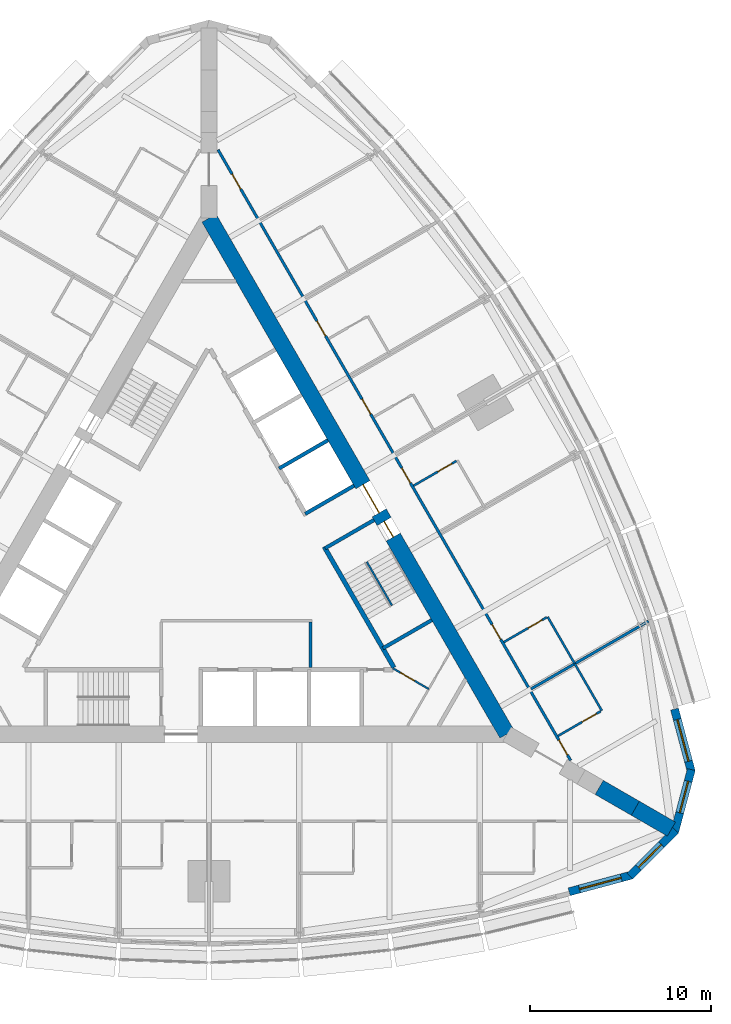
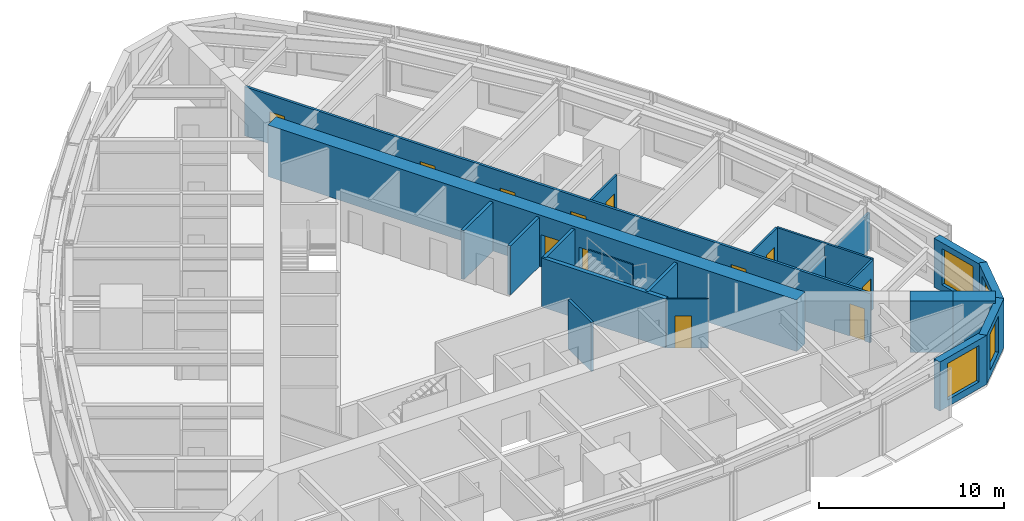
# One storey, part 11 of 14: 22 walls, 12 doors, 4 windows, 16 openings.
"""IFC4 building model written with IfcOpenShell, lengths in metres."""

from ifc_helpers import new_model, si_unit, direction, frame, frame_2d, origin, place, context, subcontext, project, spatial, polyline, rectangle, outline, extrude, material, layer, layer_set, type_object, element, fill, save


model = new_model("IFC4")

# Units and contexts
model_context = context("Model", 3, precision=1e-05, world=origin(), true_north=direction((0.0, 1.0)))
body_context = subcontext(model_context, "Body", "Model", "MODEL_VIEW")
ifc_project = project(units=[si_unit("LENGTHUNIT", "METRE"), si_unit("AREAUNIT", "SQUARE_METRE"), si_unit("VOLUMEUNIT", "CUBIC_METRE"), si_unit("PLANEANGLEUNIT", "RADIAN"), si_unit("MASSUNIT", "GRAM", prefix="KILO")], contexts=[model_context])

# Site, building, storey
site_placement = place(None, origin())
site = spatial("IfcSite", under=ifc_project, at=site_placement, CompositionType="ELEMENT")
building_placement = place(site_placement, origin())
building = spatial("IfcBuilding", under=site, at=building_placement, Name="Trikona Tower", CompositionType="ELEMENT")
storey_placement = place(building_placement, frame((0.0, 0.0, 114.699951171875)))
storey = spatial("IfcBuildingStorey", under=building, at=storey_placement, Name="L29", CompositionType="ELEMENT", Elevation=114.699951171875)

# Wall
ifc_material_1 = material(Name="Metal stud and cement board", Category="gypsum")
ifc_layer_1 = layer(ifc_material_1, 0.1201171875)
ifc_layer_set_1 = layer_set([ifc_layer_1], Name="Bathroom wall 120")
wall_type_1 = type_object("IfcWallType", Name="Bathroom wall 120", PredefinedType="PLUMBINGWALL", material=ifc_layer_set_1)
wall_1_placement = place(storey_placement, frame((21.75341796875, -8.225341796875, 0.0), z_axis=(0.0, 0.0, 1.0), x_axis=(-0.499990139034, 0.866031096941, 0.0)))
element("IfcWall", 1, at=wall_1_placement, inside=storey, type_object=wall_type_1, Name="Bathroom wall 2907", PredefinedType="PLUMBINGWALL", context=body_context, shape_type="SweptSolid", body=[
    extrude(rectangle(XDim=3.0, YDim=0.1201171875, at=frame_2d((1.5, 0.0))), origin(), (0.0, 0.0, 1.0), 3.235107421875),
])

# Wall, opening, door
wall_2_placement = place(storey_placement, frame((19.32861328125, -9.625244140625, 0.0), z_axis=(0.0, 0.0, 1.0), x_axis=(0.866035715982, 0.499982138324, 0.0)))
wall_2 = element("IfcWall", 2, at=wall_2_placement, inside=storey, type_object=wall_type_1, Name="Bathroom wall 2907", PredefinedType="PLUMBINGWALL", context=body_context, shape_type="SweptSolid", body=[
    extrude(rectangle(XDim=2.73974609375, YDim=0.1201171875, at=frame_2d((1.369873046875, 0.0))), origin(), (0.0, 0.0, 1.0), 3.235107421875),
])
opening_1_placement = place(wall_2_placement, frame((1.550048828125, 0.0, 0.0)))
opening_1 = element("IfcOpeningElement", 3, at=opening_1_placement, cuts=wall_2, Name="Opening D2", PredefinedType="OPENING", context=body_context, shape_type="SweptSolid", body=[
    extrude(rectangle(XDim=0.89990234375, YDim=2.1298828125, at=frame_2d((0.449951171875, 1.06494140625))), frame((0.0, 0.070068359375, 0.0), z_axis=(0.0, -1.0, 0.0), x_axis=(1.0, 0.0, 0.0)), (0.0, 0.0, 1.0), 0.14013671875),
])
ifc_material_2 = material(Name="Steel door frame with solid-core timber leaf", Category="steel")
door_type_1 = type_object("IfcDoorType", Name="Bathroom door 900x2130", OperationType="SLIDING_TO_LEFT", PredefinedType="DOOR", material=ifc_material_2)
door_1_placement = place(opening_1_placement, origin())
door_1 = element("IfcDoor", 4, at=door_1_placement, inside=storey, type_object=door_type_1, Name="Bathroom door 2907", OperationType="SLIDING_TO_LEFT", OverallHeight=2.1298828125, OverallWidth=0.89990234375, PredefinedType="DOOR", context=body_context, shape_type="SweptSolid", body=[
    extrude(rectangle(XDim=0.89990234375, YDim=2.1298828125, at=frame_2d((0.449951171875, 1.06494140625))), frame((0.0, 0.02490234375, 0.0), z_axis=(0.0, -1.0, 0.0), x_axis=(1.0, 0.0, 0.0)), (0.0, 0.0, 1.0), 0.050048828125),
])
fill(opening_1, door_1)

# Wall
wall_3_placement = place(storey_placement, frame((20.25341796875, -5.627197265625, 0.0), z_axis=(0.0, 0.0, 1.0), x_axis=(-0.50002537861, 0.866010750942, 0.0)))
element("IfcWall", 5, at=wall_3_placement, inside=storey, type_object=wall_type_1, Name="Bathroom wall 2908", PredefinedType="PLUMBINGWALL", context=body_context, shape_type="SweptSolid", body=[
    extrude(rectangle(XDim=2.999755859375, YDim=0.1201171875, at=frame_2d((1.5, 0.0))), origin(), (0.0, 0.0, 1.0), 3.235107421875),
])

# Wall, opening, door
wall_4_placement = place(storey_placement, frame((16.32861328125, -4.42919921875, 0.0), z_axis=(0.0, 0.0, 1.0), x_axis=(0.865997131366, 0.500048966069, 0.0)))
wall_4 = element("IfcWall", 6, at=wall_4_placement, inside=storey, type_object=wall_type_1, Name="Bathroom wall 2908", PredefinedType="PLUMBINGWALL", context=body_context, shape_type="SweptSolid", body=[
    extrude(rectangle(XDim=2.739990234375, YDim=0.1201171875, at=frame_2d((1.3701171875, 0.0))), origin(), (0.0, 0.0, 1.0), 3.235107421875),
])
opening_2_placement = place(wall_4_placement, frame((1.550048828125, 0.0, 0.0)))
opening_2 = element("IfcOpeningElement", 7, at=opening_2_placement, cuts=wall_4, Name="Opening D2", PredefinedType="OPENING", context=body_context, shape_type="SweptSolid", body=[
    extrude(rectangle(XDim=0.89990234375, YDim=2.1298828125, at=frame_2d((0.449951171875, 1.06494140625))), frame((0.0, 0.070068359375, 0.0), z_axis=(0.0, -1.0, 0.0), x_axis=(1.0, 0.0, 0.0)), (0.0, 0.0, 1.0), 0.14013671875),
])
door_2_placement = place(opening_2_placement, origin())
door_2 = element("IfcDoor", 8, at=door_2_placement, inside=storey, type_object=door_type_1, Name="Bathroom door 2908", OperationType="SLIDING_TO_LEFT", OverallHeight=2.1298828125, OverallWidth=0.89990234375, PredefinedType="DOOR", context=body_context, shape_type="SweptSolid", body=[
    extrude(rectangle(XDim=0.89990234375, YDim=2.1298828125, at=frame_2d((0.449951171875, 1.06494140625))), frame((0.0, 0.02490234375, 0.0), z_axis=(0.0, -1.0, 0.0), x_axis=(1.0, 0.0, 0.0)), (0.0, 0.0, 1.0), 0.050048828125),
])
fill(opening_2, door_2)

wall_5_placement = place(storey_placement, frame((11.32861328125, 4.231201171875, 0.0), z_axis=(0.0, 0.0, 1.0), x_axis=(0.866035715982, 0.499982138324, 0.0)))
wall_5 = element("IfcWall", 9, at=wall_5_placement, inside=storey, type_object=wall_type_1, Name="Bathroom wall 2909", PredefinedType="PLUMBINGWALL", context=body_context, shape_type="SweptSolid", body=[
    extrude(rectangle(XDim=2.73974609375, YDim=0.1201171875, at=frame_2d((1.369873046875, 0.0))), origin(), (0.0, 0.0, 1.0), 3.235107421875),
])
opening_3_placement = place(wall_5_placement, frame((1.550048828125, 0.0, 0.0)))
opening_3 = element("IfcOpeningElement", 10, at=opening_3_placement, cuts=wall_5, Name="Opening D2", PredefinedType="OPENING", context=body_context, shape_type="SweptSolid", body=[
    extrude(rectangle(XDim=0.89990234375, YDim=2.1298828125, at=frame_2d((0.449951171875, 1.06494140625))), frame((0.0, 0.070068359375, 0.0), z_axis=(0.0, -1.0, 0.0), x_axis=(1.0, 0.0, 0.0)), (0.0, 0.0, 1.0), 0.14013671875),
])
door_3_placement = place(opening_3_placement, origin())
door_3 = element("IfcDoor", 11, at=door_3_placement, inside=storey, type_object=door_type_1, Name="Bathroom door 2909", OperationType="SLIDING_TO_LEFT", OverallHeight=2.1298828125, OverallWidth=0.89990234375, PredefinedType="DOOR", context=body_context, shape_type="SweptSolid", body=[
    extrude(rectangle(XDim=0.89990234375, YDim=2.1298828125, at=frame_2d((0.449951171875, 1.06494140625))), frame((0.0, 0.02490234375, 0.0), z_axis=(0.0, -1.0, 0.0), x_axis=(1.0, 0.0, 0.0)), (0.0, 0.0, 1.0), 0.050048828125),
])
fill(opening_3, door_3)

# Wall, opening, window
ifc_material_3 = material(Name="Brick-faced precast concrete", Category="masonry")
ifc_layer_2 = layer(ifc_material_3, 0.449951171875)
ifc_layer_set_2 = layer_set([ifc_layer_2], Name="Brick-faced corner wall 450")
wall_type_2 = type_object("IfcWallType", Name="Brick-faced corner wall 450", PredefinedType="SOLIDWALL", material=ifc_layer_set_2)
wall_6_placement = place(storey_placement, frame((19.94189453125, -18.2578125, 0.0), z_axis=(0.0, 0.0, 1.0), x_axis=(0.965924653531, 0.258823421857, 0.0)))
wall_6 = element("IfcWall", 12, at=wall_6_placement, inside=storey, type_object=wall_type_2, Name="External wall L29-08", PredefinedType="SOLIDWALL", context=body_context, shape_type="SweptSolid", body=[
    extrude(rectangle(XDim=3.58642578125, YDim=0.449951171875, at=frame_2d((1.793212890625, 0.0))), origin(), (0.0, 0.0, 1.0), 3.235107421875),
])
opening_4_placement = place(wall_6_placement, frame((0.593017578125, 0.0, 0.449951171875)))
opening_4 = element("IfcOpeningElement", 13, at=opening_4_placement, cuts=wall_6, Name="Opening W2424", PredefinedType="OPENING", context=body_context, shape_type="SweptSolid", body=[
    extrude(rectangle(XDim=2.39990234375, YDim=2.39990234375, at=frame_2d((1.199951171875, 1.199951171875))), frame((0.0, 0.23486328125, 0.0), z_axis=(0.0, -1.0, 0.0), x_axis=(1.0, 0.0, 0.0)), (0.0, 0.0, 1.0), 0.469970703125),
])
ifc_material_4 = material(Name="Aluminium-framed double glazing", Category="aluminium")
window_type_1 = type_object("IfcWindowType", Name="Window 2400x2400", PartitioningType="SINGLE_PANEL", PredefinedType="WINDOW", material=ifc_material_4)
window_1_placement = place(opening_4_placement, origin())
window_1 = element("IfcWindow", 14, at=window_1_placement, inside=storey, type_object=window_type_1, Name="Window 2906", OverallHeight=2.39990234375, OverallWidth=2.39990234375, PartitioningType="SINGLE_PANEL", PredefinedType="WINDOW", context=body_context, shape_type="SweptSolid", body=[
    extrude(rectangle(XDim=2.39990234375, YDim=2.39990234375, at=frame_2d((1.199951171875, 1.199951171875))), frame((0.0, 0.030029296875, 0.0), z_axis=(0.0, -1.0, 0.0), x_axis=(1.0, 0.0, 0.0)), (0.0, 0.0, 1.0), 0.06005859375),
])
fill(opening_4, window_1)

wall_7_placement = place(storey_placement, frame((23.304931640625, -17.387939453125, 0.0), z_axis=(0.0, 0.0, 1.0), x_axis=(0.707106781187, 0.707106781187, 0.0)))
wall_7 = element("IfcWall", 15, at=wall_7_placement, inside=storey, type_object=wall_type_2, Name="External wall L29-09", PredefinedType="SOLIDWALL", context=body_context, shape_type="SweptSolid", body=[
    extrude(outline(polyline([(3.586181640625, 0.22509765625), (3.527099609375, 0.22509765625), (3.03515625, 0.09326171875), (3.0, 0.22509765625), (0.0, 0.22509765625), (0.0, -0.22509765625), (3.586181640625, -0.22509765625), (3.586181640625, 0.22509765625)])), origin(), (0.0, 0.0, 1.0), 3.235107421875),
])
opening_5_placement = place(wall_7_placement, frame((0.6748046875, 0.0, 0.449951171875)))
opening_5 = element("IfcOpeningElement", 16, at=opening_5_placement, cuts=wall_7, Name="Opening W1824", PredefinedType="OPENING", context=body_context, shape_type="SweptSolid", body=[
    extrude(rectangle(XDim=1.800048828125, YDim=2.39990234375, at=frame_2d((0.89990234375, 1.199951171875))), frame((0.0, 0.23486328125, 0.0), z_axis=(0.0, -1.0, 0.0), x_axis=(1.0, 0.0, 0.0)), (0.0, 0.0, 1.0), 0.469970703125),
])
ifc_material_5 = material(Name="Aluminium-framed double glazing", Category="aluminium")
window_type_2 = type_object("IfcWindowType", Name="Window 1800x2400", PartitioningType="SINGLE_PANEL", PredefinedType="WINDOW", material=ifc_material_5)
window_2_placement = place(opening_5_placement, origin())
window_2 = element("IfcWindow", 17, at=window_2_placement, inside=storey, type_object=window_type_2, Name="Window 2906", OverallHeight=2.39990234375, OverallWidth=1.800048828125, PartitioningType="SINGLE_PANEL", PredefinedType="WINDOW", context=body_context, shape_type="SweptSolid", body=[
    extrude(rectangle(XDim=1.800048828125, YDim=2.39990234375, at=frame_2d((0.89990234375, 1.199951171875))), frame((0.0, 0.030029296875, 0.0), z_axis=(0.0, -1.0, 0.0), x_axis=(1.0, 0.0, 0.0)), (0.0, 0.0, 1.0), 0.06005859375),
])
fill(opening_5, window_2)

wall_8_placement = place(storey_placement, frame((25.78271484375, -14.952880859375, 0.0), z_axis=(0.0, 0.0, 1.0), x_axis=(0.258823421857, 0.965924653531, 0.0)))
wall_8 = element("IfcWall", 18, at=wall_8_placement, inside=storey, type_object=wall_type_2, Name="External wall L29-10", PredefinedType="SOLIDWALL", context=body_context, shape_type="SweptSolid", body=[
    extrude(outline(polyline([(3.58642578125, 0.22509765625), (0.58642578125, 0.22509765625), (0.551025390625, 0.09326171875), (0.0595703125, 0.22509765625), (0.0, 0.22509765625), (0.0, -0.22509765625), (3.58642578125, -0.22509765625), (3.58642578125, 0.22509765625)])), origin(), (0.0, 0.0, 1.0), 3.235107421875),
])
opening_6_placement = place(wall_8_placement, frame((1.111328125, 0.0, 0.449951171875)))
opening_6 = element("IfcOpeningElement", 19, at=opening_6_placement, cuts=wall_8, Name="Opening W1824", PredefinedType="OPENING", context=body_context, shape_type="SweptSolid", body=[
    extrude(rectangle(XDim=1.800048828125, YDim=2.39990234375, at=frame_2d((0.89990234375, 1.199951171875))), frame((0.0, 0.23486328125, 0.0), z_axis=(0.0, -1.0, 0.0), x_axis=(1.0, 0.0, 0.0)), (0.0, 0.0, 1.0), 0.469970703125),
])
window_3_placement = place(opening_6_placement, origin())
window_3 = element("IfcWindow", 20, at=window_3_placement, inside=storey, type_object=window_type_2, Name="Window 2907", OverallHeight=2.39990234375, OverallWidth=1.800048828125, PartitioningType="SINGLE_PANEL", PredefinedType="WINDOW", context=body_context, shape_type="SweptSolid", body=[
    extrude(rectangle(XDim=1.800048828125, YDim=2.39990234375, at=frame_2d((0.89990234375, 1.199951171875))), frame((0.0, 0.030029296875, 0.0), z_axis=(0.0, -1.0, 0.0), x_axis=(1.0, 0.0, 0.0)), (0.0, 0.0, 1.0), 0.06005859375),
])
fill(opening_6, window_3)

wall_9_placement = place(storey_placement, frame((26.7109375, -11.605224609375, 0.0), z_axis=(0.0, 0.0, 1.0), x_axis=(-0.258823421857, 0.965924653531, 0.0)))
wall_9 = element("IfcWall", 21, at=wall_9_placement, inside=storey, type_object=wall_type_2, Name="External wall L29-11", PredefinedType="SOLIDWALL", context=body_context, shape_type="SweptSolid", body=[
    extrude(rectangle(XDim=3.58642578125, YDim=0.449951171875, at=frame_2d((1.793212890625, 0.0))), origin(), (0.0, 0.0, 1.0), 3.235107421875),
])
opening_7_placement = place(wall_9_placement, frame((0.593017578125, 0.0, 0.449951171875)))
opening_7 = element("IfcOpeningElement", 22, at=opening_7_placement, cuts=wall_9, Name="Opening W2424", PredefinedType="OPENING", context=body_context, shape_type="SweptSolid", body=[
    extrude(rectangle(XDim=2.39990234375, YDim=2.39990234375, at=frame_2d((1.199951171875, 1.199951171875))), frame((0.0, 0.23486328125, 0.0), z_axis=(0.0, -1.0, 0.0), x_axis=(1.0, 0.0, 0.0)), (0.0, 0.0, 1.0), 0.469970703125),
])
window_4_placement = place(opening_7_placement, origin())
window_4 = element("IfcWindow", 23, at=window_4_placement, inside=storey, type_object=window_type_1, Name="Window 2907", OverallHeight=2.39990234375, OverallWidth=2.39990234375, PartitioningType="SINGLE_PANEL", PredefinedType="WINDOW", context=body_context, shape_type="SweptSolid", body=[
    extrude(rectangle(XDim=2.39990234375, YDim=2.39990234375, at=frame_2d((1.199951171875, 1.199951171875))), frame((0.0, 0.030029296875, 0.0), z_axis=(0.0, -1.0, 0.0), x_axis=(1.0, 0.0, 0.0)), (0.0, 0.0, 1.0), 0.06005859375),
])
fill(opening_7, window_4)

# Walls
ifc_material_6 = material(Name="Concrete f'c 10000 psi", Category="concrete")
ifc_layer_3 = layer(ifc_material_6, 0.89990234375)
ifc_layer_set_3 = layer_set([ifc_layer_3], Name="Buttress wall 900")
wall_type_3 = type_object("IfcWallType", Name="Buttress wall 900", PredefinedType="SHEAR", material=ifc_layer_set_3)
for number, where, z_axis, x_axis, name in (
    (24, (21.6103515625, -12.476806640625, 0.0), (0.0, 0.0, 1.0), (0.866055313784, -0.499948190782, 0.0), "Buttress wall 1 part 3"),
    (25, (23.6103515625, -13.63134765625, 0.0), (0.0, 0.0, 1.0), (0.866009537788, -0.500027479704, 0.0), "Buttress wall 1 part 4"),
):
    element("IfcWall", number, at=place(storey_placement, frame(where, z_axis=z_axis, x_axis=x_axis)), inside=storey, type_object=wall_type_3, Name=name, PredefinedType="SHEAR", context=body_context, shape_type="SweptSolid", body=[
        extrude(rectangle(XDim=2.309326171875, YDim=0.89990234375, at=frame_2d((1.15478515625, 0.0))), origin(), (0.0, 0.0, 1.0), 3.400146484375),
    ])

# Wall, openings, doors
ifc_material_7 = material(Name="Concrete f'c 10000 psi", Category="concrete")
ifc_layer_4 = layer(ifc_material_7, 0.89990234375)
ifc_layer_set_4 = layer_set([ifc_layer_4], Name="Core wall 900")
wall_type_4 = type_object("IfcWallType", Name="Core wall 900", PredefinedType="SHEAR", material=ifc_layer_set_4)
wall_10_placement = place(storey_placement, frame((16.5, -9.5263671875, 0.0), z_axis=(0.0, 0.0, 1.0), x_axis=(-0.499999749417, 0.866025548458, 0.0)))
wall_10 = element("IfcWall", 26, at=wall_10_placement, inside=storey, type_object=wall_type_4, Name="Core wall B", PredefinedType="SHEAR", context=body_context, shape_type="SweptSolid", body=[
    extrude(rectangle(XDim=33.0, YDim=0.89990234375, at=frame_2d((16.5, 0.0))), origin(), (0.0, 0.0, 1.0), 3.400146484375),
])
opening_8_placement = place(wall_10_placement, frame((14.14990234375, 0.0, 0.0)))
opening_8 = element("IfcOpeningElement", 27, at=opening_8_placement, cuts=wall_10, Name="Opening D6", PredefinedType="OPENING", context=body_context, shape_type="SweptSolid", body=[
    extrude(rectangle(XDim=1.800048828125, YDim=2.1298828125, at=frame_2d((0.89990234375, 1.06494140625))), frame((0.0, 0.4599609375, 0.0), z_axis=(0.0, -1.0, 0.0), x_axis=(1.0, 0.0, 0.0)), (0.0, 0.0, 1.0), 0.919921875),
])
opening_9_placement = place(wall_10_placement, frame((12.60009765625, 0.0, 0.0)))
opening_9 = element("IfcOpeningElement", 28, at=opening_9_placement, cuts=wall_10, Name="Opening D5", PredefinedType="OPENING", context=body_context, shape_type="SweptSolid", body=[
    extrude(rectangle(XDim=1.0, YDim=2.1298828125, at=frame_2d((0.5, 1.06494140625))), frame((0.0, 0.4599609375, 0.0), z_axis=(0.0, -1.0, 0.0), x_axis=(1.0, 0.0, 0.0)), (0.0, 0.0, 1.0), 0.919921875),
])
ifc_material_8 = material(Name="Hollow metal door and frame", Category="steel")
door_type_2 = type_object("IfcDoorType", Name="Lobby door pair 1800x2130", OperationType="DOUBLE_DOOR_SINGLE_SWING", PredefinedType="DOOR", material=ifc_material_8)
door_4_placement = place(opening_8_placement, origin())
door_4 = element("IfcDoor", 29, at=door_4_placement, inside=storey, type_object=door_type_2, Name="Lift lobby door B", OperationType="DOUBLE_DOOR_SINGLE_SWING", OverallHeight=2.1298828125, OverallWidth=1.800048828125, PredefinedType="DOOR", context=body_context, shape_type="SweptSolid", body=[
    extrude(rectangle(XDim=1.800048828125, YDim=2.1298828125, at=frame_2d((0.89990234375, 1.06494140625))), frame((0.0, 0.02490234375, 0.0), z_axis=(0.0, -1.0, 0.0), x_axis=(1.0, 0.0, 0.0)), (0.0, 0.0, 1.0), 0.050048828125),
])
fill(opening_8, door_4)
ifc_material_9 = material(Name="Hollow metal door and frame", Category="steel")
door_type_3 = type_object("IfcDoorType", Name="Stair door 1000x2130", OperationType="SINGLE_SWING_LEFT", PredefinedType="DOOR", material=ifc_material_9)
door_5_placement = place(opening_9_placement, origin())
door_5 = element("IfcDoor", 30, at=door_5_placement, inside=storey, type_object=door_type_3, Name="Stair B door", OperationType="SINGLE_SWING_RIGHT", OverallHeight=2.1298828125, OverallWidth=1.0, PredefinedType="DOOR", context=body_context, shape_type="SweptSolid", body=[
    extrude(rectangle(XDim=1.0, YDim=2.1298828125, at=frame_2d((0.5, 1.06494140625))), frame((0.0, 0.02490234375, 0.0), z_axis=(0.0, -1.0, 0.0), x_axis=(1.0, 0.0, 0.0)), (0.0, 0.0, 1.0), 0.050048828125),
])
fill(opening_9, door_5)

ifc_material_10 = material(Name="Metal stud and gypsum board, 1-hour", Category="gypsum")
ifc_layer_5 = layer(ifc_material_10, 0.14990234375)
ifc_layer_set_5 = layer_set([ifc_layer_5], Name="Corridor wall 150")
wall_type_5 = type_object("IfcWallType", Name="Corridor wall 150", PredefinedType="PARTITIONING", material=ifc_layer_set_5)
wall_11_placement = place(storey_placement, frame((20.027099609375, -10.9853515625, 0.0), z_axis=(0.0, 0.0, 1.0), x_axis=(-0.500001677587, 0.866024435227, 0.0)))
wall_11 = element("IfcWall", 31, at=wall_11_placement, inside=storey, type_object=wall_type_5, Name="Corridor wall L29-2", PredefinedType="PARTITIONING", context=body_context, shape_type="SweptSolid", body=[
    extrude(rectangle(XDim=39.053955078125, YDim=0.14990234375, at=frame_2d((19.52685546875, 0.0))), origin(), (0.0, 0.0, 1.0), 3.235107421875),
])
opening_10_placement = place(wall_11_placement, frame((0.35205078125, 0.0, 0.0)))
opening_10 = element("IfcOpeningElement", 32, at=opening_10_placement, cuts=wall_11, Name="Opening D1", PredefinedType="OPENING", context=body_context, shape_type="SweptSolid", body=[
    extrude(rectangle(XDim=0.949951171875, YDim=2.1298828125, at=frame_2d((0.47509765625, 1.06494140625))), frame((0.0, 0.0849609375, 0.0), z_axis=(0.0, -1.0, 0.0), x_axis=(1.0, 0.0, 0.0)), (0.0, 0.0, 1.0), 0.169921875),
])
opening_11_placement = place(wall_11_placement, frame((7.751953125, 0.0, 0.0)))
opening_11 = element("IfcOpeningElement", 33, at=opening_11_placement, cuts=wall_11, Name="Opening D1", PredefinedType="OPENING", context=body_context, shape_type="SweptSolid", body=[
    extrude(rectangle(XDim=0.949951171875, YDim=2.1298828125, at=frame_2d((0.47509765625, 1.06494140625))), frame((0.0, 0.0849609375, 0.0), z_axis=(0.0, -1.0, 0.0), x_axis=(1.0, 0.0, 0.0)), (0.0, 0.0, 1.0), 0.169921875),
])
opening_12_placement = place(wall_11_placement, frame((17.751953125, 0.0, 0.0)))
opening_12 = element("IfcOpeningElement", 34, at=opening_12_placement, cuts=wall_11, Name="Opening D1", PredefinedType="OPENING", context=body_context, shape_type="SweptSolid", body=[
    extrude(rectangle(XDim=0.949951171875, YDim=2.1298828125, at=frame_2d((0.47509765625, 1.06494140625))), frame((0.0, 0.0849609375, 0.0), z_axis=(0.0, -1.0, 0.0), x_axis=(1.0, 0.0, 0.0)), (0.0, 0.0, 1.0), 0.169921875),
])
opening_13_placement = place(wall_11_placement, frame((22.152099609375, 0.0, 0.0)))
opening_13 = element("IfcOpeningElement", 35, at=opening_13_placement, cuts=wall_11, Name="Opening D1", PredefinedType="OPENING", context=body_context, shape_type="SweptSolid", body=[
    extrude(rectangle(XDim=0.949951171875, YDim=2.1298828125, at=frame_2d((0.47509765625, 1.06494140625))), frame((0.0, 0.0849609375, 0.0), z_axis=(0.0, -1.0, 0.0), x_axis=(1.0, 0.0, 0.0)), (0.0, 0.0, 1.0), 0.169921875),
])
opening_14_placement = place(wall_11_placement, frame((27.152099609375, 0.0, 0.0)))
opening_14 = element("IfcOpeningElement", 36, at=opening_14_placement, cuts=wall_11, Name="Opening D1", PredefinedType="OPENING", context=body_context, shape_type="SweptSolid", body=[
    extrude(rectangle(XDim=0.949951171875, YDim=2.1298828125, at=frame_2d((0.47509765625, 1.06494140625))), frame((0.0, 0.0849609375, 0.0), z_axis=(0.0, -1.0, 0.0), x_axis=(1.0, 0.0, 0.0)), (0.0, 0.0, 1.0), 0.169921875),
])
opening_15_placement = place(wall_11_placement, frame((36.545654296875, 0.0, 0.0)))
opening_15 = element("IfcOpeningElement", 37, at=opening_15_placement, cuts=wall_11, Name="Opening D1", PredefinedType="OPENING", context=body_context, shape_type="SweptSolid", body=[
    extrude(rectangle(XDim=0.949951171875, YDim=2.1298828125, at=frame_2d((0.47509765625, 1.06494140625))), frame((0.0, 0.0849609375, 0.0), z_axis=(0.0, -1.0, 0.0), x_axis=(1.0, 0.0, 0.0)), (0.0, 0.0, 1.0), 0.169921875),
])
ifc_material_11 = material(Name="Steel door frame with solid-core timber leaf", Category="steel")
door_type_4 = type_object("IfcDoorType", Name="Guest room door 950x2130", OperationType="SINGLE_SWING_LEFT", PredefinedType="DOOR", material=ifc_material_11)
door_6_placement = place(opening_10_placement, origin())
door_6 = element("IfcDoor", 38, at=door_6_placement, inside=storey, type_object=door_type_4, Name="Room door 2907", OperationType="SINGLE_SWING_LEFT", OverallHeight=2.1298828125, OverallWidth=0.949951171875, PredefinedType="DOOR", context=body_context, shape_type="SweptSolid", body=[
    extrude(rectangle(XDim=0.949951171875, YDim=2.1298828125, at=frame_2d((0.47509765625, 1.06494140625))), frame((0.0, 0.02490234375, 0.0), z_axis=(0.0, -1.0, 0.0), x_axis=(1.0, 0.0, 0.0)), (0.0, 0.0, 1.0), 0.050048828125),
])
fill(opening_10, door_6)
door_7_placement = place(opening_11_placement, origin())
door_7 = element("IfcDoor", 39, at=door_7_placement, inside=storey, type_object=door_type_4, Name="Room door 2908", OperationType="SINGLE_SWING_RIGHT", OverallHeight=2.1298828125, OverallWidth=0.949951171875, PredefinedType="DOOR", context=body_context, shape_type="SweptSolid", body=[
    extrude(rectangle(XDim=0.949951171875, YDim=2.1298828125, at=frame_2d((0.47509765625, 1.06494140625))), frame((0.0, 0.02490234375, 0.0), z_axis=(0.0, -1.0, 0.0), x_axis=(1.0, 0.0, 0.0)), (0.0, 0.0, 1.0), 0.050048828125),
])
fill(opening_11, door_7)
door_8_placement = place(opening_12_placement, origin())
door_8 = element("IfcDoor", 40, at=door_8_placement, inside=storey, type_object=door_type_4, Name="Room door 2909", OperationType="SINGLE_SWING_LEFT", OverallHeight=2.1298828125, OverallWidth=0.949951171875, PredefinedType="DOOR", context=body_context, shape_type="SweptSolid", body=[
    extrude(rectangle(XDim=0.949951171875, YDim=2.1298828125, at=frame_2d((0.47509765625, 1.06494140625))), frame((0.0, 0.02490234375, 0.0), z_axis=(0.0, -1.0, 0.0), x_axis=(1.0, 0.0, 0.0)), (0.0, 0.0, 1.0), 0.050048828125),
])
fill(opening_12, door_8)
door_9_placement = place(opening_13_placement, origin())
door_9 = element("IfcDoor", 41, at=door_9_placement, inside=storey, type_object=door_type_4, Name="Room door 2910", OperationType="SINGLE_SWING_RIGHT", OverallHeight=2.1298828125, OverallWidth=0.949951171875, PredefinedType="DOOR", context=body_context, shape_type="SweptSolid", body=[
    extrude(rectangle(XDim=0.949951171875, YDim=2.1298828125, at=frame_2d((0.47509765625, 1.06494140625))), frame((0.0, 0.02490234375, 0.0), z_axis=(0.0, -1.0, 0.0), x_axis=(1.0, 0.0, 0.0)), (0.0, 0.0, 1.0), 0.050048828125),
])
fill(opening_13, door_9)
door_10_placement = place(opening_14_placement, origin())
door_10 = element("IfcDoor", 42, at=door_10_placement, inside=storey, type_object=door_type_4, Name="Room door 2911", OperationType="SINGLE_SWING_LEFT", OverallHeight=2.1298828125, OverallWidth=0.949951171875, PredefinedType="DOOR", context=body_context, shape_type="SweptSolid", body=[
    extrude(rectangle(XDim=0.949951171875, YDim=2.1298828125, at=frame_2d((0.47509765625, 1.06494140625))), frame((0.0, 0.02490234375, 0.0), z_axis=(0.0, -1.0, 0.0), x_axis=(1.0, 0.0, 0.0)), (0.0, 0.0, 1.0), 0.050048828125),
])
fill(opening_14, door_10)
door_11_placement = place(opening_15_placement, origin())
door_11 = element("IfcDoor", 43, at=door_11_placement, inside=storey, type_object=door_type_4, Name="Room door 2912", OperationType="SINGLE_SWING_RIGHT", OverallHeight=2.1298828125, OverallWidth=0.949951171875, PredefinedType="DOOR", context=body_context, shape_type="SweptSolid", body=[
    extrude(rectangle(XDim=0.949951171875, YDim=2.1298828125, at=frame_2d((0.47509765625, 1.06494140625))), frame((0.0, 0.02490234375, 0.0), z_axis=(0.0, -1.0, 0.0), x_axis=(1.0, 0.0, 0.0)), (0.0, 0.0, 1.0), 0.050048828125),
])
fill(opening_15, door_11)

# Walls
ifc_material_12 = material(Name="Concrete f'c 8000 psi", Category="concrete")
ifc_layer_6 = layer(ifc_material_12, 0.25)
ifc_layer_set_6 = layer_set([ifc_layer_6], Name="Hub wall 250")
wall_type_6 = type_object("IfcWallType", Name="Hub wall 250", PredefinedType="SOLIDWALL", material=ifc_layer_set_6)
wall_12_placement = place(storey_placement, frame((10.245361328125, -5.843017578125, 0.0), z_axis=(0.0, 0.0, 1.0), x_axis=(-0.499993009313, 0.866029439822, 0.0)))
element("IfcWall", 44, at=wall_12_placement, inside=storey, type_object=wall_type_6, Name="Lift lobby wall B1", PredefinedType="SOLIDWALL", context=body_context, shape_type="SweptSolid", body=[
    extrude(rectangle(XDim=7.73291015625, YDim=0.25, at=frame_2d((3.866455078125, 0.0))), origin(), (0.0, 0.0, 1.0), 3.235107421875),
])
ifc_material_13 = material(Name="Metal stud and gypsum board, 2-hour shaft wall", Category="gypsum")
ifc_layer_7 = layer(ifc_material_13, 0.14990234375)
ifc_layer_set_7 = layer_set([ifc_layer_7], Name="Lobby wall 150")
wall_type_7 = type_object("IfcWallType", Name="Lobby wall 150", PredefinedType="PARTITIONING", material=ifc_layer_set_7)
wall_13_placement = place(storey_placement, frame((5.625, -5.826416015625, 0.0), z_axis=(0.0, 0.0, 1.0), x_axis=(0.0, 1.0, 0.0)))
element("IfcWall", 45, at=wall_13_placement, inside=storey, type_object=wall_type_7, Name="Fire service lift lobby wall 3", PredefinedType="PARTITIONING", context=body_context, shape_type="SweptSolid", body=[
    extrude(rectangle(XDim=2.5, YDim=0.14990234375, at=frame_2d((1.25, 0.0))), origin(), (0.0, 0.0, 1.0), 3.235107421875),
])
ifc_material_14 = material(Name="Metal stud and gypsum board, 1-hour acoustic", Category="gypsum")
ifc_layer_8 = layer(ifc_material_14, 0.14990234375)
ifc_layer_set_8 = layer_set([ifc_layer_8], Name="Party wall 150")
wall_type_8 = type_object("IfcWallType", Name="Party wall 150", PredefinedType="PARTITIONING", material=ifc_layer_set_8)
wall_14_placement = place(storey_placement, frame((17.82861328125, -7.027099609375, 0.0), z_axis=(0.0, 0.0, 1.0), x_axis=(0.866029804378, 0.499992377871, 0.0)))
element("IfcWall", 46, at=wall_14_placement, inside=storey, type_object=wall_type_8, Name="Partition L29 F2 u-15", PredefinedType="PARTITIONING", context=body_context, shape_type="SweptSolid", body=[
    extrude(rectangle(XDim=7.51611328125, YDim=0.14990234375, at=frame_2d((3.758056640625, 0.0))), origin(), (0.0, 0.0, 1.0), 2.38916015625),
])
ifc_material_15 = material(Name="Concrete f'c 8000 psi", Category="concrete")
ifc_layer_9 = layer(ifc_material_15, 0.199951171875)
ifc_layer_set_9 = layer_set([ifc_layer_9], Name="Shaft wall 200")
wall_type_9 = type_object("IfcWallType", Name="Shaft wall 200", PredefinedType="SOLIDWALL", material=ifc_layer_set_9)
for number, where, z_axis, x_axis, name in (
    (47, (5.3291015625, 2.672607421875, 0.0), (0.0, 0.0, 1.0), (0.866022959057, 0.500004234368, 0.0), "Shaft wall B3"),
    (48, (3.87890625, 5.18408203125, 0.0), (0.0, 0.0, 1.0), (0.866022959057, 0.500004234368, 0.0), "Shaft wall B4"),
):
    element("IfcWall", number, at=place(storey_placement, frame(where, z_axis=z_axis, x_axis=x_axis)), inside=storey, type_object=wall_type_9, Name=name, PredefinedType="SOLIDWALL", context=body_context, shape_type="SweptSolid", body=[
        extrude(rectangle(XDim=3.125, YDim=0.199951171875, at=frame_2d((1.5625, 0.0))), origin(), (0.0, 0.0, 1.0), 3.235107421875),
    ])
ifc_material_16 = material(Name="Concrete f'c 8000 psi", Category="concrete")
ifc_layer_10 = layer(ifc_material_16, 0.199951171875)
ifc_layer_set_10 = layer_set([ifc_layer_10], Name="Shaft wall 200 load-bearing")
wall_type_10 = type_object("IfcWallType", Name="Shaft wall 200 load-bearing", PredefinedType="SOLIDWALL", material=ifc_layer_set_10)
for number, where, z_axis, x_axis, name in (
    (49, (9.62890625, -4.775390625, 0.0), (0.0, 0.0, 1.0), (0.866022959057, 0.500004234368, 0.0), "Shaft wall B1"),
    (50, (6.428955078125, 0.767333984375, 0.0), (0.0, 0.0, 1.0), (0.866022959057, 0.500004234368, 0.0), "Shaft wall B2"),
):
    element("IfcWall", number, at=place(storey_placement, frame(where, z_axis=z_axis, x_axis=x_axis)), inside=storey, type_object=wall_type_10, Name=name, PredefinedType="SOLIDWALL", context=body_context, shape_type="SweptSolid", body=[
        extrude(rectangle(XDim=3.125, YDim=0.199951171875, at=frame_2d((1.5625, 0.0))), origin(), (0.0, 0.0, 1.0), 3.235107421875),
    ])
ifc_material_17 = material(Name="Concrete f'c 5000 psi", Category="concrete")
ifc_layer_11 = layer(ifc_material_17, 0.10009765625)
ifc_layer_set_11 = layer_set([ifc_layer_11], Name="Stair spine wall 100")
wall_type_11 = type_object("IfcWallType", Name="Stair spine wall 100", PredefinedType="SOLIDWALL", material=ifc_layer_set_11)
wall_15_placement = place(storey_placement, frame((10.134765625, -2.4013671875, 0.0), z_axis=(0.0, 0.0, 1.0), x_axis=(-0.499992232847, 0.866029888106, 0.0)))
element("IfcWall", 51, at=wall_15_placement, inside=storey, type_object=wall_type_11, Name="Stair B spine wall L29", PredefinedType="SOLIDWALL", context=body_context, shape_type="SweptSolid", body=[
    extrude(rectangle(XDim=2.7939453125, YDim=0.10009765625, at=frame_2d((1.39697265625, 0.0))), origin(), (0.0, 0.0, 1.0), 3.400146484375),
])

# Wall, opening, door
ifc_material_18 = material(Name="Metal stud and gypsum board, acoustic", Category="gypsum")
ifc_layer_12 = layer(ifc_material_18, 0.10009765625)
ifc_layer_set_12 = layer_set([ifc_layer_12], Name="Suite partition 100")
wall_type_12 = type_object("IfcWallType", Name="Suite partition 100", PredefinedType="PARTITIONING", material=ifc_layer_set_12)
wall_16_placement = place(storey_placement, frame((12.169921875, -7.0263671875, 0.0), z_axis=(0.0, 0.0, 1.0), x_axis=(-0.866015833478, 0.50001657589, 0.0)))
wall_16 = element("IfcWall", 52, at=wall_16_placement, inside=storey, type_object=wall_type_12, Name="Store partition L29-RS1", PredefinedType="PARTITIONING", context=body_context, shape_type="SweptSolid", body=[
    extrude(rectangle(XDim=2.275390625, YDim=0.10009765625, at=frame_2d((1.1376953125, 0.0))), origin(), (0.0, 0.0, 1.0), 3.235107421875),
])
opening_16_placement = place(wall_16_placement, frame((0.9150390625, 0.0, 0.0)))
opening_16 = element("IfcOpeningElement", 53, at=opening_16_placement, cuts=wall_16, Name="Opening D15", PredefinedType="OPENING", context=body_context, shape_type="SweptSolid", body=[
    extrude(rectangle(XDim=0.89990234375, YDim=2.1298828125, at=frame_2d((0.449951171875, 1.06494140625))), frame((0.0, 0.06005859375, 0.0), z_axis=(0.0, -1.0, 0.0), x_axis=(1.0, 0.0, 0.0)), (0.0, 0.0, 1.0), 0.1201171875),
])
ifc_material_19 = material(Name="Steel door frame with solid-core timber leaf", Category="steel")
door_type_5 = type_object("IfcDoorType", Name="Store door 900x2130", OperationType="SINGLE_SWING_LEFT", PredefinedType="DOOR", material=ifc_material_19)
door_12_placement = place(opening_16_placement, origin())
door_12 = element("IfcDoor", 54, at=door_12_placement, inside=storey, type_object=door_type_5, Name="Door Uniform store UNF", OperationType="SINGLE_SWING_RIGHT", OverallHeight=2.1298828125, OverallWidth=0.89990234375, PredefinedType="DOOR", context=body_context, shape_type="SweptSolid", body=[
    extrude(rectangle(XDim=0.89990234375, YDim=2.1298828125, at=frame_2d((0.449951171875, 1.06494140625))), frame((0.0, 0.02490234375, 0.0), z_axis=(0.0, -1.0, 0.0), x_axis=(1.0, 0.0, 0.0)), (0.0, 0.0, 1.0), 0.050048828125),
])
fill(opening_16, door_12)

save(model, "model.ifc")
